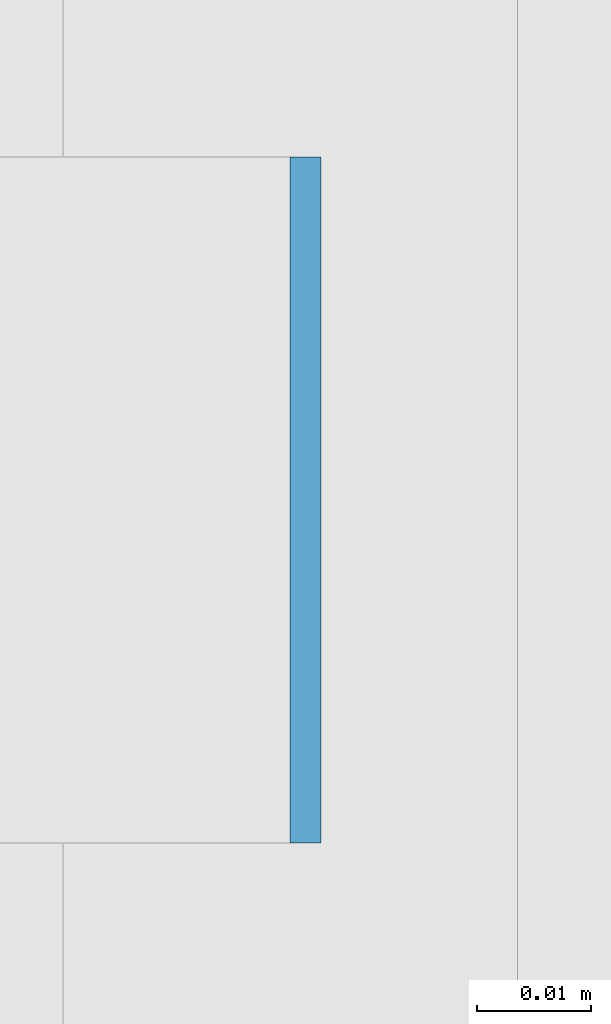
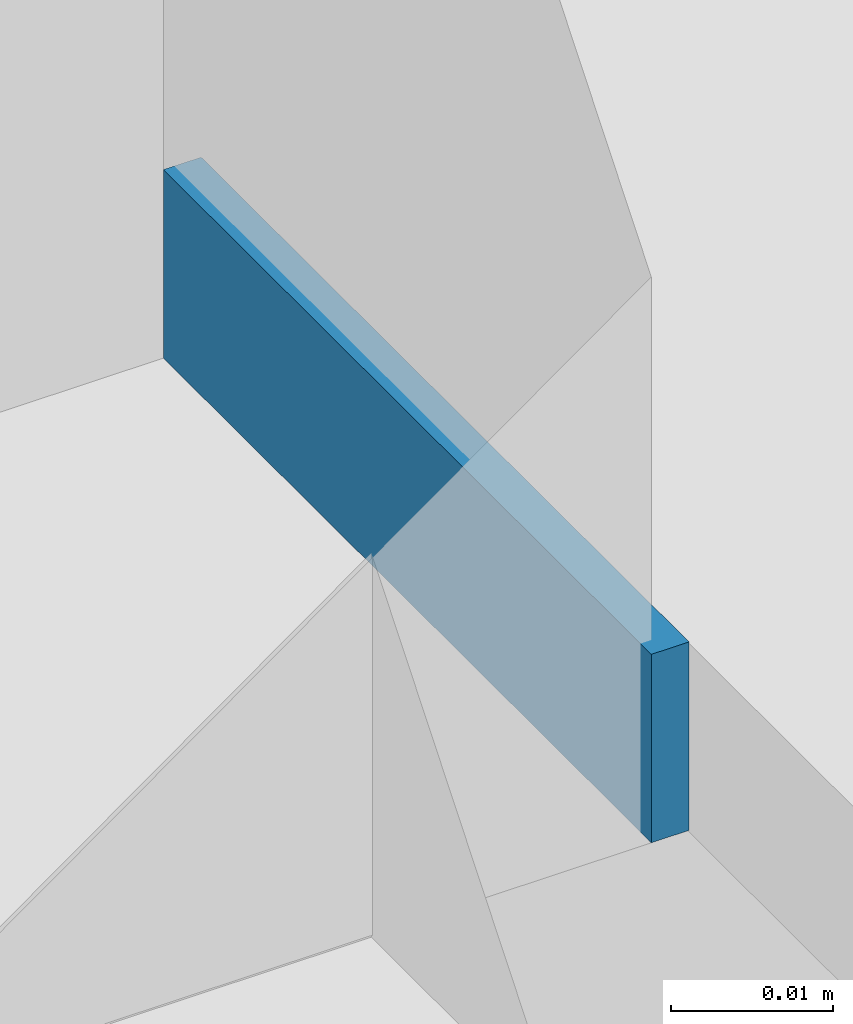
# One storey, part 282 of 646: 1 discrete accessory.
"""IFC4 building model written with IfcOpenShell, lengths in metres."""

from ifc_helpers import new_model, si_unit, direction, frame, origin, origin_2d, place, context, subcontext, project, spatial, rectangle, extrude, material, type_object, element, save


model = new_model("IFC4")

# Units and contexts
model_context = context("Model", 3, precision=1e-05, world=origin(), true_north=direction((0.0, 1.0)))
body_context = subcontext(model_context, "Body", "Model", "MODEL_VIEW")
ifc_project = project(units=[si_unit("LENGTHUNIT", "METRE"), si_unit("AREAUNIT", "SQUARE_METRE"), si_unit("VOLUMEUNIT", "CUBIC_METRE"), si_unit("PLANEANGLEUNIT", "RADIAN"), si_unit("MASSUNIT", "GRAM", prefix="KILO")], contexts=[model_context])

# Site, building, storey
site_placement = place(None, origin())
site = spatial("IfcSite", under=ifc_project, at=site_placement, CompositionType="ELEMENT")
building_placement = place(site_placement, origin())
building = spatial("IfcBuilding", under=site, at=building_placement, Name="Silverbay Arena", CompositionType="ELEMENT")
storey_placement = place(building_placement, frame((0.0, 0.0, 33.5)))
storey = spatial("IfcBuildingStorey", under=building, at=storey_placement, Name="L05", CompositionType="ELEMENT", Elevation=33.5)

# Discrete accessory
ifc_material = material(Name="Steel S355", Category="steel")
discrete_accessory_type = type_object("IfcDiscreteAccessoryType", Name="Steel bracket plate", PredefinedType="BRACKET", material=ifc_material)
discrete_accessory_placement = place(storey_placement, frame((53.871337890625, 52.71435546875, 4.0), z_axis=(0.0, 0.0, 1.0), x_axis=(1.0, 0.0, 0.0)))
element("IfcDiscreteAccessory", 1, at=discrete_accessory_placement, inside=storey, type_object=discrete_accessory_type, Name="Curtain wall packing plate", PredefinedType="BRACKET", context=body_context, shape_type="SweptSolid", body=[
    extrude(rectangle(XDim=0.002685546875, YDim=0.06005859375, at=origin_2d()), origin(), (0.0, 0.0, 1.0), 0.01416015625),
])

save(model, "model.ifc")
